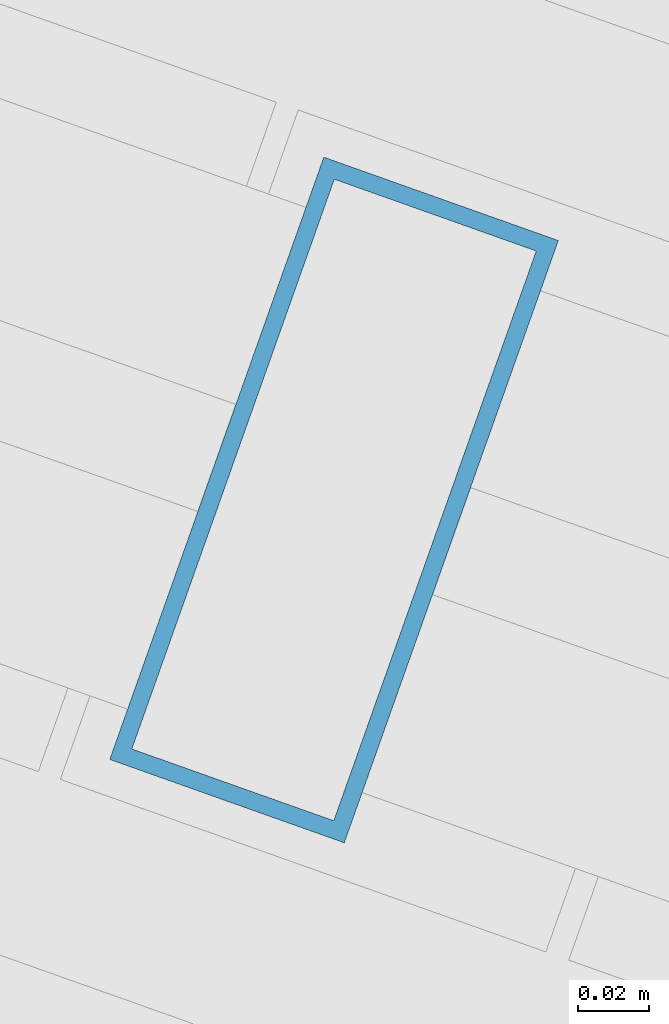
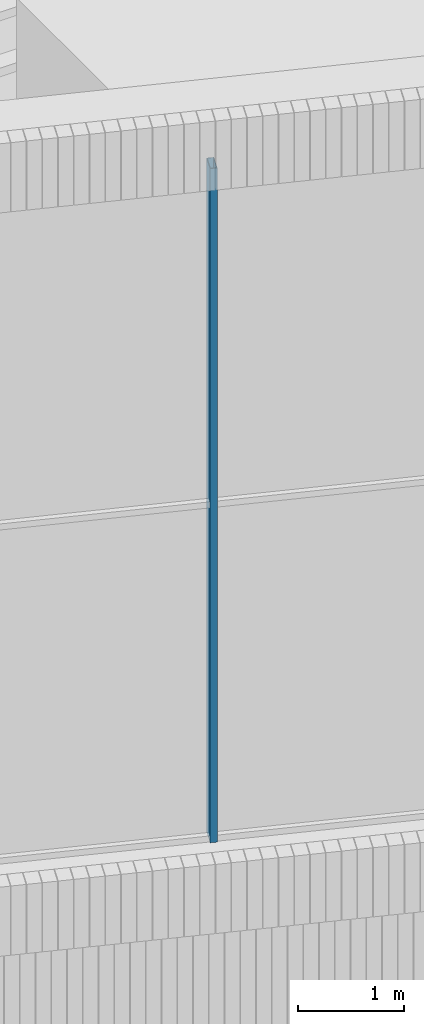
# One storey, part 26 of 117: 1 member, 1 element without a shape of its own.
"""IFC4 building model written with IfcOpenShell, lengths in metres."""

from ifc_helpers import new_model, si_unit, direction, frame, origin, origin_2d, place, context, subcontext, project, spatial, hollow_rectangle, extrude, material, layer, layer_set, material_profile, profile_set, type_object, element, aggregate, save


model = new_model("IFC4")

# Units and contexts
model_context = context("Model", 3, precision=1e-05, world=origin(), true_north=direction((0.0, 1.0)))
body_context = subcontext(model_context, "Body", "Model", "MODEL_VIEW")
ifc_project = project(units=[si_unit("LENGTHUNIT", "METRE"), si_unit("AREAUNIT", "SQUARE_METRE"), si_unit("VOLUMEUNIT", "CUBIC_METRE"), si_unit("PLANEANGLEUNIT", "RADIAN"), si_unit("MASSUNIT", "GRAM", prefix="KILO")], contexts=[model_context])

# Site, building, storey
site_placement = place(None, origin())
site = spatial("IfcSite", under=ifc_project, at=site_placement, CompositionType="ELEMENT")
building_placement = place(site_placement, origin())
building = spatial("IfcBuilding", under=site, at=building_placement, Name="Tarsis Ring Headquarters", CompositionType="ELEMENT")
storey_placement = place(building_placement, frame((0.0, 0.0, 403.60009765625)))
storey = spatial("IfcBuildingStorey", under=building, at=storey_placement, Name="L95", CompositionType="ELEMENT", Elevation=403.60009765625)

# Curtain wall, member
ifc_material_1 = material(Name="Aluminium curtain wall", Category="aluminium")
ifc_layer = layer(ifc_material_1, 0.179931640625)
ifc_layer_set = layer_set([ifc_layer], Name="Curtain wall crown glazing")
curtain_wall_type = type_object("IfcCurtainWallType", Name="Curtain wall crown glazing", PredefinedType="NOTDEFINED", material=ifc_layer_set)
curtain_wall_placement = place(storey_placement, origin())
curtain_wall = element("IfcCurtainWall", 1, at=curtain_wall_placement, inside=storey, type_object=curtain_wall_type, Name="Crown glazing U20", PredefinedType="NOTDEFINED")
ifc_material_2 = material(Name="Aluminium mullion", Category="aluminium")
ifc_material_profile = material_profile(ifc_material_2, hollow_rectangle(XDim=0.179931640625, YDim=0.070068359375, WallThickness=0.0048828125, at=origin_2d()), Name="RHS 180x70x5")
ifc_profile_set = profile_set([ifc_material_profile], Name="Aluminium mullion")
member_type = type_object("IfcMemberType", Name="Crown glazing mullion RHS 180x70x5", PredefinedType="MULLION", material=ifc_profile_set)
member_placement = place(storey_placement, frame((-8.010986328125, -27.447021484375, 14.39990234375), z_axis=(0.0, 0.0, 1.0), x_axis=(0.334875807731, 0.942262274209, 0.0)))
member = element("IfcMember", 2, at=member_placement, type_object=member_type, Name="CW-C mullion 3", PredefinedType="MULLION", context=body_context, shape_type="SweptSolid", body=[
    extrude(hollow_rectangle(XDim=0.179931640625, YDim=0.070068359375, WallThickness=0.0048828125, at=origin_2d()), origin(), (0.0, 0.0, 1.0), 7.800048828125),
])
aggregate(curtain_wall, [member])

save(model, "model.ifc")
